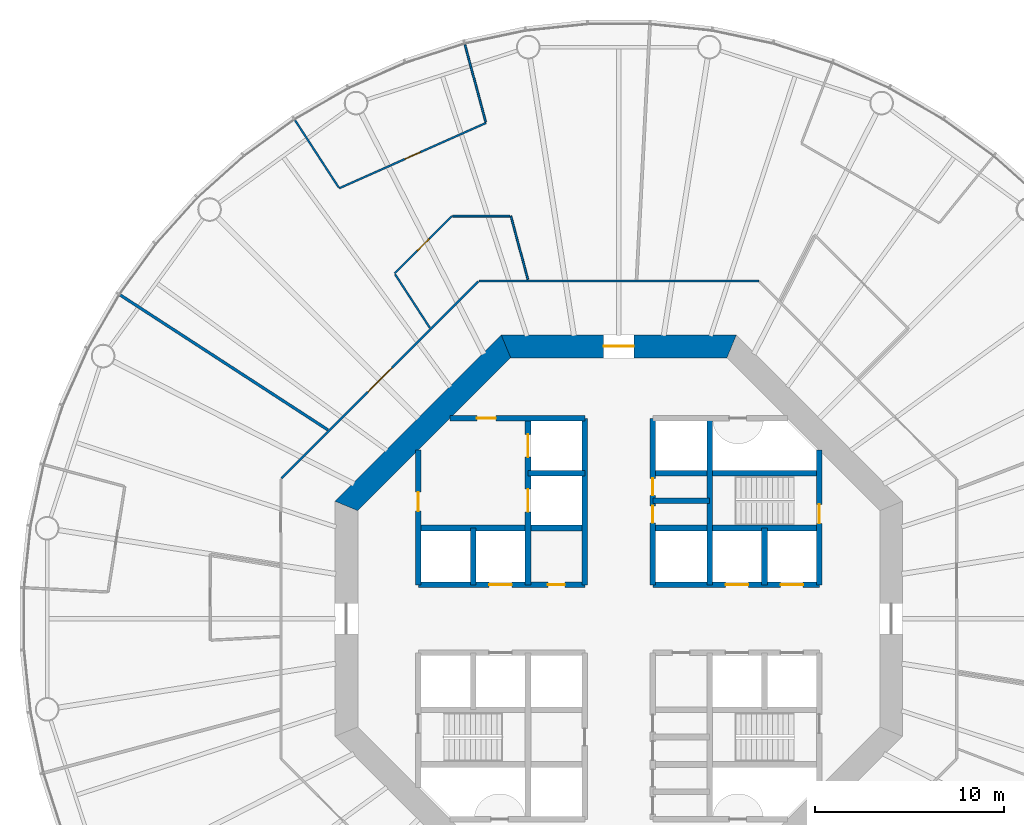
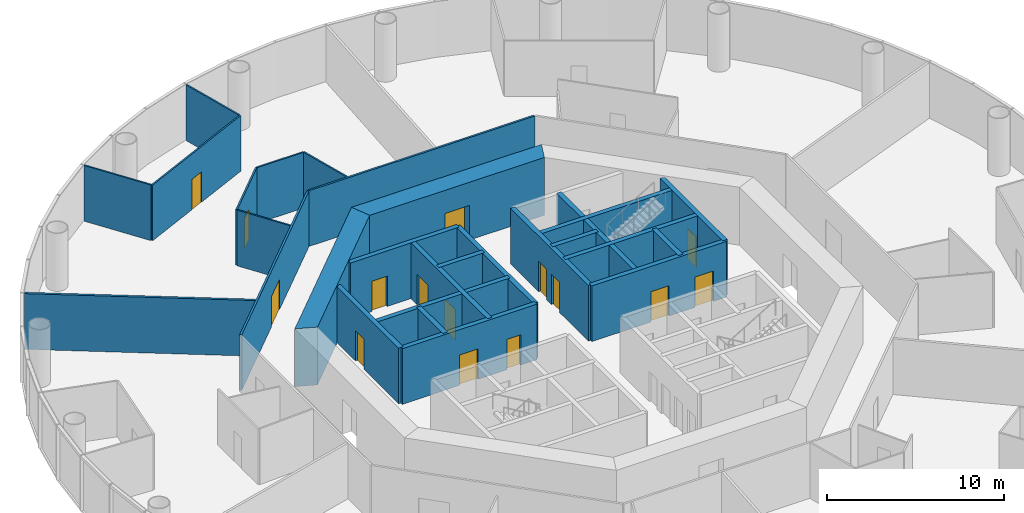
# One storey, part 5 of 13: 28 walls, 15 doors, 15 openings.
"""IFC4 building model written with IfcOpenShell, lengths in metres."""

from ifc_helpers import new_model, si_unit, direction, frame, frame_2d, origin, place, context, subcontext, project, spatial, polyline, rectangle, outline, extrude, material, layer, layer_set, type_object, element, fill, save


model = new_model("IFC4")

# Units and contexts
model_context = context("Model", 3, precision=1e-05, world=origin(), true_north=direction((0.0, 1.0)))
body_context = subcontext(model_context, "Body", "Model", "MODEL_VIEW")
ifc_project = project(units=[si_unit("LENGTHUNIT", "METRE"), si_unit("AREAUNIT", "SQUARE_METRE"), si_unit("VOLUMEUNIT", "CUBIC_METRE"), si_unit("PLANEANGLEUNIT", "RADIAN"), si_unit("MASSUNIT", "GRAM", prefix="KILO")], contexts=[model_context])

# Site, building, storey
site_placement = place(None, origin())
site = spatial("IfcSite", under=ifc_project, at=site_placement, CompositionType="ELEMENT")
building_placement = place(site_placement, origin())
building = spatial("IfcBuilding", under=site, at=building_placement, Name="Entoto Ring Tower", CompositionType="ELEMENT")
storey_placement = place(building_placement, frame((0.0, 0.0, 88.0)))
storey = spatial("IfcBuildingStorey", under=building, at=storey_placement, Name="L19", CompositionType="ELEMENT", Elevation=88.0)

# Wall, opening, door
ifc_material_1 = material(Name="Concrete C40/50", Category="concrete")
ifc_layer_1 = layer(ifc_material_1, 0.300048828125)
ifc_layer_set_1 = layer_set([ifc_layer_1], Name="Concrete C40/50")
wall_type_1 = type_object("IfcWallType", Name="Core enclosure wall 300 mm reinforced concrete", PredefinedType="SOLIDWALL", material=ifc_layer_set_1)
wall_1_placement = place(storey_placement, frame((100.60009765625, 81.800048828125, 0.0), z_axis=(0.0, 0.0, 1.0), x_axis=(0.0, 1.0, 0.0)))
wall_1 = element("IfcWall", 1, at=wall_1_placement, inside=storey, type_object=wall_type_1, Name="wall-L19-002", PredefinedType="SOLIDWALL", context=body_context, shape_type="SweptSolid", body=[
    extrude(rectangle(XDim=7.115966796875, YDim=0.300048828125, at=frame_2d((3.55810546875, 0.0))), origin(), (0.0, 0.0, 1.0), 3.85009765625),
])
opening_1_placement = place(wall_1_placement, frame((3.25, 0.0, 0.0)))
opening_1 = element("IfcOpeningElement", 2, at=opening_1_placement, cuts=wall_1, Name="Opening K-65", PredefinedType="OPENING", context=body_context, shape_type="SweptSolid", body=[
    extrude(rectangle(XDim=1.0, YDim=2.10009765625, at=frame_2d((0.5, 1.050048828125))), frame((0.0, 0.16015625, 0.0), z_axis=(0.0, -1.0, 0.0), x_axis=(1.0, 0.0, 0.0)), (0.0, 0.0, 1.0), 0.320068359375),
])
ifc_material_2 = material(Name="Steel door leaf, fire rated", Category="steel")
ifc_layer_2 = layer(ifc_material_2, 0.050048828125)
ifc_layer_set_2 = layer_set([ifc_layer_2], Name="Steel door leaf, fire rated")
door_type_1 = type_object("IfcDoorType", Name="Fire door FD60 1000 x 2100 single leaf", OperationType="NOTDEFINED", PredefinedType="DOOR", material=ifc_layer_set_2)
door_1_placement = place(opening_1_placement, origin())
door_1 = element("IfcDoor", 3, at=door_1_placement, inside=storey, type_object=door_type_1, Name="Door K-65", OperationType="SINGLE_SWING_RIGHT", OverallHeight=2.10009765625, OverallWidth=1.0, PredefinedType="DOOR", context=body_context, shape_type="SweptSolid", body=[
    extrude(rectangle(XDim=1.0, YDim=2.10009765625, at=frame_2d((0.5, 1.050048828125))), frame((0.0, 0.02490234375, 0.0), z_axis=(0.0, -1.0, 0.0), x_axis=(1.0, 0.0, 0.0)), (0.0, 0.0, 1.0), 0.050048828125),
])
fill(opening_1, door_1)

# Walls
wall_2_placement = place(storey_placement, frame((97.699951171875, 81.800048828125, 0.0), z_axis=(0.0, 0.0, 1.0), x_axis=(0.0, 1.0, 0.0)))
element("IfcWall", 4, at=wall_2_placement, inside=storey, type_object=wall_type_1, Name="wall-L19-004", PredefinedType="SOLIDWALL", context=body_context, shape_type="SweptSolid", body=[
    extrude(rectangle(XDim=3.0, YDim=0.300048828125, at=frame_2d((1.5, 0.0))), origin(), (0.0, 0.0, 1.0), 3.85009765625),
])
wall_3_placement = place(storey_placement, frame((94.800048828125, 81.800048828125, 0.0), z_axis=(0.0, 0.0, 1.0), x_axis=(0.0, 1.0, 0.0)))
element("IfcWall", 5, at=wall_3_placement, inside=storey, type_object=wall_type_1, Name="wall-L19-006", PredefinedType="SOLIDWALL", context=body_context, shape_type="SweptSolid", body=[
    extrude(rectangle(XDim=8.800048828125, YDim=0.300048828125, at=frame_2d((4.39990234375, 0.0))), origin(), (0.0, 0.0, 1.0), 3.85009765625),
])

# Wall, openings, doors
wall_4_placement = place(storey_placement, frame((91.800048828125, 81.800048828125, 0.0), z_axis=(0.0, 0.0, 1.0), x_axis=(0.0, 1.0, 0.0)))
wall_4 = element("IfcWall", 6, at=wall_4_placement, inside=storey, type_object=wall_type_1, Name="wall-L19-008", PredefinedType="SOLIDWALL", context=body_context, shape_type="SweptSolid", body=[
    extrude(rectangle(XDim=8.800048828125, YDim=0.300048828125, at=frame_2d((4.39990234375, 0.0))), origin(), (0.0, 0.0, 1.0), 3.85009765625),
])
opening_2_placement = place(wall_4_placement, frame((3.27490234375, 0.0, 0.0)))
opening_2 = element("IfcOpeningElement", 7, at=opening_2_placement, cuts=wall_4, Name="Opening K-11", PredefinedType="OPENING", context=body_context, shape_type="SweptSolid", body=[
    extrude(rectangle(XDim=0.89990234375, YDim=2.10009765625, at=frame_2d((0.449951171875, 1.050048828125))), frame((0.0, 0.16015625, 0.0), z_axis=(0.0, -1.0, 0.0), x_axis=(1.0, 0.0, 0.0)), (0.0, 0.0, 1.0), 0.320068359375),
])
opening_3_placement = place(wall_4_placement, frame((4.72509765625, 0.0, 0.0)))
opening_3 = element("IfcOpeningElement", 8, at=opening_3_placement, cuts=wall_4, Name="Opening K-12", PredefinedType="OPENING", context=body_context, shape_type="SweptSolid", body=[
    extrude(rectangle(XDim=0.89990234375, YDim=2.10009765625, at=frame_2d((0.449951171875, 1.050048828125))), frame((0.0, 0.16015625, 0.0), z_axis=(0.0, -1.0, 0.0), x_axis=(1.0, 0.0, 0.0)), (0.0, 0.0, 1.0), 0.320068359375),
])
ifc_material_3 = material(Name="Steel door leaf, fire rated", Category="steel")
ifc_layer_3 = layer(ifc_material_3, 0.050048828125)
ifc_layer_set_3 = layer_set([ifc_layer_3], Name="Steel door leaf, fire rated")
door_type_2 = type_object("IfcDoorType", Name="Core door 900 x 2100 single leaf", OperationType="NOTDEFINED", PredefinedType="DOOR", material=ifc_layer_set_3)
door_2_placement = place(opening_2_placement, origin())
door_2 = element("IfcDoor", 9, at=door_2_placement, inside=storey, type_object=door_type_2, Name="Door K-11", OperationType="SINGLE_SWING_RIGHT", OverallHeight=2.10009765625, OverallWidth=0.89990234375, PredefinedType="DOOR", context=body_context, shape_type="SweptSolid", body=[
    extrude(rectangle(XDim=0.89990234375, YDim=2.10009765625, at=frame_2d((0.449951171875, 1.050048828125))), frame((0.0, 0.02490234375, 0.0), z_axis=(0.0, -1.0, 0.0), x_axis=(1.0, 0.0, 0.0)), (0.0, 0.0, 1.0), 0.050048828125),
])
fill(opening_2, door_2)
door_3_placement = place(opening_3_placement, origin())
door_3 = element("IfcDoor", 10, at=door_3_placement, inside=storey, type_object=door_type_2, Name="Door K-12", OperationType="SINGLE_SWING_RIGHT", OverallHeight=2.10009765625, OverallWidth=0.89990234375, PredefinedType="DOOR", context=body_context, shape_type="SweptSolid", body=[
    extrude(rectangle(XDim=0.89990234375, YDim=2.10009765625, at=frame_2d((0.449951171875, 1.050048828125))), frame((0.0, 0.02490234375, 0.0), z_axis=(0.0, -1.0, 0.0), x_axis=(1.0, 0.0, 0.0)), (0.0, 0.0, 1.0), 0.050048828125),
])
fill(opening_3, door_3)

# Wall
wall_5_placement = place(storey_placement, frame((88.199951171875, 81.800048828125, 0.0), z_axis=(0.0, 0.0, 1.0), x_axis=(0.0, 1.0, 0.0)))
element("IfcWall", 11, at=wall_5_placement, inside=storey, type_object=wall_type_1, Name="wall-L19-010", PredefinedType="SOLIDWALL", context=body_context, shape_type="SweptSolid", body=[
    extrude(rectangle(XDim=8.800048828125, YDim=0.300048828125, at=frame_2d((4.39990234375, 0.0))), origin(), (0.0, 0.0, 1.0), 3.85009765625),
])

# Wall, openings, doors
wall_6_placement = place(storey_placement, frame((85.199951171875, 81.800048828125, 0.0), z_axis=(0.0, 0.0, 1.0), x_axis=(0.0, 1.0, 0.0)))
wall_6 = element("IfcWall", 12, at=wall_6_placement, inside=storey, type_object=wall_type_1, Name="wall-L19-012", PredefinedType="SOLIDWALL", context=body_context, shape_type="SweptSolid", body=[
    extrude(rectangle(XDim=8.800048828125, YDim=0.300048828125, at=frame_2d((4.39990234375, 0.0))), origin(), (0.0, 0.0, 1.0), 3.85009765625),
])
opening_4_placement = place(wall_6_placement, frame((3.85009765625, 0.0, 0.0)))
opening_4 = element("IfcOpeningElement", 13, at=opening_4_placement, cuts=wall_6, Name="Opening LD", PredefinedType="OPENING", context=body_context, shape_type="SweptSolid", body=[
    extrude(rectangle(XDim=1.199951171875, YDim=2.10009765625, at=frame_2d((0.60009765625, 1.050048828125))), frame((0.0, 0.16015625, 0.0), z_axis=(0.0, -1.0, 0.0), x_axis=(1.0, 0.0, 0.0)), (0.0, 0.0, 1.0), 0.320068359375),
])
opening_5_placement = place(wall_6_placement, frame((6.75, 0.0, 0.0)))
opening_5 = element("IfcOpeningElement", 14, at=opening_5_placement, cuts=wall_6, Name="Opening LD", PredefinedType="OPENING", context=body_context, shape_type="SweptSolid", body=[
    extrude(rectangle(XDim=1.199951171875, YDim=2.10009765625, at=frame_2d((0.60009765625, 1.050048828125))), frame((0.0, 0.16015625, 0.0), z_axis=(0.0, -1.0, 0.0), x_axis=(1.0, 0.0, 0.0)), (0.0, 0.0, 1.0), 0.320068359375),
])
ifc_material_4 = material(Name="Steel and glass door leaf", Category="steel")
ifc_layer_4 = layer(ifc_material_4, 0.050048828125)
ifc_layer_set_4 = layer_set([ifc_layer_4], Name="Steel and glass door leaf")
door_type_3 = type_object("IfcDoorType", Name="Landing door 1200 x 2100 sliding", OperationType="DOUBLE_DOOR_SLIDING", PredefinedType="DOOR", material=ifc_layer_set_4)
door_4_placement = place(opening_4_placement, origin())
door_4 = element("IfcDoor", 15, at=door_4_placement, inside=storey, type_object=door_type_3, Name="Landing door FF1", OperationType="SLIDING_TO_RIGHT", OverallHeight=2.10009765625, OverallWidth=1.199951171875, PredefinedType="DOOR", context=body_context, shape_type="SweptSolid", body=[
    extrude(rectangle(XDim=1.199951171875, YDim=2.10009765625, at=frame_2d((0.60009765625, 1.050048828125))), frame((0.0, 0.02490234375, 0.0), z_axis=(0.0, -1.0, 0.0), x_axis=(1.0, 0.0, 0.0)), (0.0, 0.0, 1.0), 0.050048828125),
])
fill(opening_4, door_4)
door_5_placement = place(opening_5_placement, origin())
door_5 = element("IfcDoor", 16, at=door_5_placement, inside=storey, type_object=door_type_3, Name="Landing door FF2", OperationType="SLIDING_TO_RIGHT", OverallHeight=2.10009765625, OverallWidth=1.199951171875, PredefinedType="DOOR", context=body_context, shape_type="SweptSolid", body=[
    extrude(rectangle(XDim=1.199951171875, YDim=2.10009765625, at=frame_2d((0.60009765625, 1.050048828125))), frame((0.0, 0.02490234375, 0.0), z_axis=(0.0, -1.0, 0.0), x_axis=(1.0, 0.0, 0.0)), (0.0, 0.0, 1.0), 0.050048828125),
])
fill(opening_5, door_5)

# Wall
wall_7_placement = place(storey_placement, frame((82.300048828125, 81.800048828125, 0.0), z_axis=(0.0, 0.0, 1.0), x_axis=(0.0, 1.0, 0.0)))
element("IfcWall", 17, at=wall_7_placement, inside=storey, type_object=wall_type_1, Name="wall-L19-014", PredefinedType="SOLIDWALL", context=body_context, shape_type="SweptSolid", body=[
    extrude(rectangle(XDim=3.0, YDim=0.300048828125, at=frame_2d((1.5, 0.0))), origin(), (0.0, 0.0, 1.0), 3.85009765625),
])

# Wall, opening, door
wall_8_placement = place(storey_placement, frame((79.39990234375, 81.800048828125, 0.0), z_axis=(0.0, 0.0, 1.0), x_axis=(0.0, 1.0, 0.0)))
wall_8 = element("IfcWall", 18, at=wall_8_placement, inside=storey, type_object=wall_type_1, Name="wall-L19-016", PredefinedType="SOLIDWALL", context=body_context, shape_type="SweptSolid", body=[
    extrude(rectangle(XDim=7.115966796875, YDim=0.300048828125, at=frame_2d((3.55810546875, 0.0))), origin(), (0.0, 0.0, 1.0), 3.85009765625),
])
opening_6_placement = place(wall_8_placement, frame((3.89990234375, 0.0, 0.0)))
opening_6 = element("IfcOpeningElement", 19, at=opening_6_placement, cuts=wall_8, Name="Opening K-26", PredefinedType="OPENING", context=body_context, shape_type="SweptSolid", body=[
    extrude(rectangle(XDim=1.0, YDim=2.10009765625, at=frame_2d((0.5, 1.050048828125))), frame((0.0, 0.16015625, 0.0), z_axis=(0.0, -1.0, 0.0), x_axis=(1.0, 0.0, 0.0)), (0.0, 0.0, 1.0), 0.320068359375),
])
door_6_placement = place(opening_6_placement, frame((1.0, 0.0, 0.0), z_axis=(0.0, 0.0, 1.0), x_axis=(-1.0, 0.0, 0.0)))
door_6 = element("IfcDoor", 20, at=door_6_placement, inside=storey, type_object=door_type_1, Name="Door K-26", OperationType="SINGLE_SWING_LEFT", OverallHeight=2.10009765625, OverallWidth=1.0, PredefinedType="DOOR", context=body_context, shape_type="SweptSolid", body=[
    extrude(rectangle(XDim=1.0, YDim=2.10009765625, at=frame_2d((0.5, 1.050048828125))), frame((0.0, 0.02490234375, 0.0), z_axis=(0.0, -1.0, 0.0), x_axis=(1.0, 0.0, 0.0)), (0.0, 0.0, 1.0), 0.050048828125),
])
fill(opening_6, door_6)

# Wall, openings, doors
wall_9_placement = place(storey_placement, frame((79.39990234375, 81.800048828125, 0.0), z_axis=(0.0, 0.0, 1.0), x_axis=(1.0, 0.0, 0.0)))
wall_9 = element("IfcWall", 21, at=wall_9_placement, inside=storey, type_object=wall_type_1, Name="wall-L19-027", PredefinedType="SOLIDWALL", context=body_context, shape_type="SweptSolid", body=[
    extrude(rectangle(XDim=8.800048828125, YDim=0.300048828125, at=frame_2d((4.39990234375, 0.0))), origin(), (0.0, 0.0, 1.0), 3.85009765625),
])
opening_7_placement = place(wall_9_placement, frame((3.75, 0.0, 0.0)))
opening_7 = element("IfcOpeningElement", 22, at=opening_7_placement, cuts=wall_9, Name="Opening LD", PredefinedType="OPENING", context=body_context, shape_type="SweptSolid", body=[
    extrude(rectangle(XDim=1.199951171875, YDim=2.10009765625, at=frame_2d((0.60009765625, 1.050048828125))), frame((0.0, 0.16015625, 0.0), z_axis=(0.0, -1.0, 0.0), x_axis=(1.0, 0.0, 0.0)), (0.0, 0.0, 1.0), 0.320068359375),
])
opening_8_placement = place(wall_9_placement, frame((6.85009765625, 0.0, 0.0)))
opening_8 = element("IfcOpeningElement", 23, at=opening_8_placement, cuts=wall_9, Name="Opening K-18", PredefinedType="OPENING", context=body_context, shape_type="SweptSolid", body=[
    extrude(rectangle(XDim=0.89990234375, YDim=2.10009765625, at=frame_2d((0.449951171875, 1.050048828125))), frame((0.0, 0.16015625, 0.0), z_axis=(0.0, -1.0, 0.0), x_axis=(1.0, 0.0, 0.0)), (0.0, 0.0, 1.0), 0.320068359375),
])
door_7_placement = place(opening_8_placement, frame((0.89990234375, 0.0, 0.0), z_axis=(0.0, 0.0, 1.0), x_axis=(-1.0, 0.0, 0.0)))
door_7 = element("IfcDoor", 24, at=door_7_placement, inside=storey, type_object=door_type_2, Name="Door K-18", OperationType="SINGLE_SWING_RIGHT", OverallHeight=2.10009765625, OverallWidth=0.89990234375, PredefinedType="DOOR", context=body_context, shape_type="SweptSolid", body=[
    extrude(rectangle(XDim=0.89990234375, YDim=2.10009765625, at=frame_2d((0.449951171875, 1.050048828125))), frame((0.0, 0.02490234375, 0.0), z_axis=(0.0, -1.0, 0.0), x_axis=(1.0, 0.0, 0.0)), (0.0, 0.0, 1.0), 0.050048828125),
])
fill(opening_8, door_7)
door_8_placement = place(opening_7_placement, origin())
door_8 = element("IfcDoor", 25, at=door_8_placement, inside=storey, type_object=door_type_3, Name="Landing door LB3-LR", OperationType="SLIDING_TO_RIGHT", OverallHeight=2.10009765625, OverallWidth=1.199951171875, PredefinedType="DOOR", context=body_context, shape_type="SweptSolid", body=[
    extrude(rectangle(XDim=1.199951171875, YDim=2.10009765625, at=frame_2d((0.60009765625, 1.050048828125))), frame((0.0, 0.02490234375, 0.0), z_axis=(0.0, -1.0, 0.0), x_axis=(1.0, 0.0, 0.0)), (0.0, 0.0, 1.0), 0.050048828125),
])
fill(opening_7, door_8)

wall_10_placement = place(storey_placement, frame((91.800048828125, 81.800048828125, 0.0), z_axis=(0.0, 0.0, 1.0), x_axis=(1.0, 0.0, 0.0)))
wall_10 = element("IfcWall", 26, at=wall_10_placement, inside=storey, type_object=wall_type_1, Name="wall-L19-028", PredefinedType="SOLIDWALL", context=body_context, shape_type="SweptSolid", body=[
    extrude(rectangle(XDim=8.800048828125, YDim=0.300048828125, at=frame_2d((4.39990234375, 0.0))), origin(), (0.0, 0.0, 1.0), 3.85009765625),
])
opening_9_placement = place(wall_10_placement, frame((3.85009765625, 0.0, 0.0)))
opening_9 = element("IfcOpeningElement", 27, at=opening_9_placement, cuts=wall_10, Name="Opening LD", PredefinedType="OPENING", context=body_context, shape_type="SweptSolid", body=[
    extrude(rectangle(XDim=1.199951171875, YDim=2.10009765625, at=frame_2d((0.60009765625, 1.050048828125))), frame((0.0, 0.16015625, 0.0), z_axis=(0.0, -1.0, 0.0), x_axis=(1.0, 0.0, 0.0)), (0.0, 0.0, 1.0), 0.320068359375),
])
opening_10_placement = place(wall_10_placement, frame((6.75, 0.0, 0.0)))
opening_10 = element("IfcOpeningElement", 28, at=opening_10_placement, cuts=wall_10, Name="Opening LD", PredefinedType="OPENING", context=body_context, shape_type="SweptSolid", body=[
    extrude(rectangle(XDim=1.199951171875, YDim=2.10009765625, at=frame_2d((0.60009765625, 1.050048828125))), frame((0.0, 0.16015625, 0.0), z_axis=(0.0, -1.0, 0.0), x_axis=(1.0, 0.0, 0.0)), (0.0, 0.0, 1.0), 0.320068359375),
])
door_9_placement = place(opening_9_placement, origin())
door_9 = element("IfcDoor", 29, at=door_9_placement, inside=storey, type_object=door_type_3, Name="Landing door LB1-LR", OperationType="SLIDING_TO_RIGHT", OverallHeight=2.10009765625, OverallWidth=1.199951171875, PredefinedType="DOOR", context=body_context, shape_type="SweptSolid", body=[
    extrude(rectangle(XDim=1.199951171875, YDim=2.10009765625, at=frame_2d((0.60009765625, 1.050048828125))), frame((0.0, 0.02490234375, 0.0), z_axis=(0.0, -1.0, 0.0), x_axis=(1.0, 0.0, 0.0)), (0.0, 0.0, 1.0), 0.050048828125),
])
fill(opening_9, door_9)
door_10_placement = place(opening_10_placement, origin())
door_10 = element("IfcDoor", 30, at=door_10_placement, inside=storey, type_object=door_type_3, Name="Landing door LB2-LR", OperationType="SLIDING_TO_RIGHT", OverallHeight=2.10009765625, OverallWidth=1.199951171875, PredefinedType="DOOR", context=body_context, shape_type="SweptSolid", body=[
    extrude(rectangle(XDim=1.199951171875, YDim=2.10009765625, at=frame_2d((0.60009765625, 1.050048828125))), frame((0.0, 0.02490234375, 0.0), z_axis=(0.0, -1.0, 0.0), x_axis=(1.0, 0.0, 0.0)), (0.0, 0.0, 1.0), 0.050048828125),
])
fill(opening_10, door_10)

# Walls
for number, where, z_axis, x_axis, name in (
    (31, (79.39990234375, 84.800048828125, 0.0), (0.0, 0.0, 1.0), (1.0, 0.0, 0.0), "wall-L19-029"),
    (32, (91.800048828125, 84.800048828125, 0.0), (0.0, 0.0, 1.0), (1.0, 0.0, 0.0), "wall-L19-030"),
):
    element("IfcWall", number, at=place(storey_placement, frame(where, z_axis=z_axis, x_axis=x_axis)), inside=storey, type_object=wall_type_1, Name=name, PredefinedType="SOLIDWALL", context=body_context, shape_type="SweptSolid", body=[
        extrude(rectangle(XDim=8.800048828125, YDim=0.300048828125, at=frame_2d((4.39990234375, 0.0))), origin(), (0.0, 0.0, 1.0), 3.85009765625),
    ])
for number, where, z_axis, x_axis, name in (
    (33, (91.800048828125, 86.25, 0.0), (0.0, 0.0, 1.0), (1.0, 0.0, 0.0), "wall-L19-031"),
    (34, (85.199951171875, 87.699951171875, 0.0), (0.0, 0.0, 1.0), (1.0, 0.0, 0.0), "wall-L19-032"),
):
    element("IfcWall", number, at=place(storey_placement, frame(where, z_axis=z_axis, x_axis=x_axis)), inside=storey, type_object=wall_type_1, Name=name, PredefinedType="SOLIDWALL", context=body_context, shape_type="SweptSolid", body=[
        extrude(rectangle(XDim=3.0, YDim=0.300048828125, at=frame_2d((1.5, 0.0))), origin(), (0.0, 0.0, 1.0), 3.85009765625),
    ])
wall_11_placement = place(storey_placement, frame((91.800048828125, 87.699951171875, 0.0), z_axis=(0.0, 0.0, 1.0), x_axis=(1.0, 0.0, 0.0)))
element("IfcWall", 35, at=wall_11_placement, inside=storey, type_object=wall_type_1, Name="wall-L19-033", PredefinedType="SOLIDWALL", context=body_context, shape_type="SweptSolid", body=[
    extrude(rectangle(XDim=8.800048828125, YDim=0.300048828125, at=frame_2d((4.39990234375, 0.0))), origin(), (0.0, 0.0, 1.0), 3.85009765625),
])

# Wall, opening, door
wall_12_placement = place(storey_placement, frame((81.083984375, 90.60009765625, 0.0), z_axis=(0.0, 0.0, 1.0), x_axis=(1.0, 0.0, 0.0)))
wall_12 = element("IfcWall", 36, at=wall_12_placement, inside=storey, type_object=wall_type_1, Name="wall-L19-034", PredefinedType="SOLIDWALL", context=body_context, shape_type="SweptSolid", body=[
    extrude(rectangle(XDim=7.115966796875, YDim=0.300048828125, at=frame_2d((3.55810546875, 0.0))), origin(), (0.0, 0.0, 1.0), 3.85009765625),
])
opening_11_placement = place(wall_12_placement, frame((1.416015625, 0.0, 0.0)))
opening_11 = element("IfcOpeningElement", 37, at=opening_11_placement, cuts=wall_12, Name="Opening K-27", PredefinedType="OPENING", context=body_context, shape_type="SweptSolid", body=[
    extrude(rectangle(XDim=1.0, YDim=2.10009765625, at=frame_2d((0.5, 1.050048828125))), frame((0.0, 0.16015625, 0.0), z_axis=(0.0, -1.0, 0.0), x_axis=(1.0, 0.0, 0.0)), (0.0, 0.0, 1.0), 0.320068359375),
])
door_11_placement = place(opening_11_placement, frame((1.0, 0.0, 0.0), z_axis=(0.0, 0.0, 1.0), x_axis=(-1.0, 0.0, 0.0)))
door_11 = element("IfcDoor", 38, at=door_11_placement, inside=storey, type_object=door_type_1, Name="Door K-27", OperationType="SINGLE_SWING_RIGHT", OverallHeight=2.10009765625, OverallWidth=1.0, PredefinedType="DOOR", context=body_context, shape_type="SweptSolid", body=[
    extrude(rectangle(XDim=1.0, YDim=2.10009765625, at=frame_2d((0.5, 1.050048828125))), frame((0.0, 0.02490234375, 0.0), z_axis=(0.0, -1.0, 0.0), x_axis=(1.0, 0.0, 0.0)), (0.0, 0.0, 1.0), 0.050048828125),
])
fill(opening_11, door_11)

ifc_material_5 = material(Name="Concrete C60/75", Category="concrete")
ifc_layer_5 = layer(ifc_material_5, 1.199951171875)
ifc_layer_set_5 = layer_set([ifc_layer_5], Name="Concrete C60/75")
wall_type_2 = type_object("IfcWallType", Name="Core shear wall 1200 mm reinforced concrete C60/75", PredefinedType="SHEAR", material=ifc_layer_set_5)
wall_13_placement = place(storey_placement, frame((95.964599609375, 94.39990234375, 0.0), z_axis=(0.0, 0.0, 1.0), x_axis=(-1.0, 0.0, 0.0)))
wall_13 = element("IfcWall", 39, at=wall_13_placement, inside=storey, type_object=wall_type_2, Name="wall-L19-core-2", PredefinedType="SHEAR", context=body_context, shape_type="SweptSolid", body=[
    extrude(outline(polyline([(-0.24853515625, -0.60009765625), (12.177734375, -0.60009765625), (11.6806640625, 0.60009765625), (0.24853515625, 0.60009765625), (-0.24853515625, -0.60009765625)])), origin(), (0.0, 0.0, 1.0), 4.0),
])
opening_12_placement = place(wall_13_placement, frame((5.164794921875, 0.0, 0.0)))
opening_12 = element("IfcOpeningElement", 40, at=opening_12_placement, cuts=wall_13, Name="Opening K-02", PredefinedType="OPENING", context=body_context, shape_type="SweptSolid", body=[
    extrude(rectangle(XDim=1.60009765625, YDim=2.39990234375, at=frame_2d((0.800048828125, 1.199951171875))), frame((0.0, 0.60986328125, 0.0), z_axis=(0.0, -1.0, 0.0), x_axis=(1.0, 0.0, 0.0)), (0.0, 0.0, 1.0), 1.219970703125),
])
ifc_material_6 = material(Name="Steel door leaf, fire rated", Category="steel")
ifc_layer_6 = layer(ifc_material_6, 0.050048828125)
ifc_layer_set_6 = layer_set([ifc_layer_6], Name="Steel door leaf, fire rated")
door_type_4 = type_object("IfcDoorType", Name="Entrance door FD60 1600 x 2400 double leaf", OperationType="DOUBLE_DOOR_SINGLE_SWING", PredefinedType="DOOR", material=ifc_layer_set_6)
door_12_placement = place(opening_12_placement, origin())
door_12 = element("IfcDoor", 41, at=door_12_placement, inside=storey, type_object=door_type_4, Name="Entrance door K-02", OperationType="DOUBLE_DOOR_SINGLE_SWING", OverallHeight=2.39990234375, OverallWidth=1.60009765625, PredefinedType="DOOR", context=body_context, shape_type="SweptSolid", body=[
    extrude(rectangle(XDim=1.60009765625, YDim=2.39990234375, at=frame_2d((0.800048828125, 1.199951171875))), frame((0.0, 0.02490234375, 0.0), z_axis=(0.0, -1.0, 0.0), x_axis=(1.0, 0.0, 0.0)), (0.0, 0.0, 1.0), 0.050048828125),
])
fill(opening_12, door_12)

# Walls
wall_14_placement = place(storey_placement, frame((84.035400390625, 94.39990234375, 0.0), z_axis=(0.0, 0.0, 1.0), x_axis=(-0.707106781187, -0.707106781187, 0.0)))
element("IfcWall", 42, at=wall_14_placement, inside=storey, type_object=wall_type_2, Name="wall-L19-core-3", PredefinedType="SHEAR", context=body_context, shape_type="SweptSolid", body=[
    extrude(outline(polyline([(-0.24853515625, -0.60009765625), (12.177734375, -0.60009765625), (11.6806640625, 0.60009765625), (0.24853515625, 0.60009765625), (-0.24853515625, -0.60009765625)])), origin(), (0.0, 0.0, 1.0), 4.0),
])
ifc_material_7 = material(Name="Fire-resisting plasterboard on steel studs", Category="steel")
ifc_layer_7 = layer(ifc_material_7, 0.125)
ifc_layer_set_7 = layer_set([ifc_layer_7], Name="Fire-resisting plasterboard on steel studs")
wall_type_3 = type_object("IfcWallType", Name="Corridor wall 125 mm one-hour plasterboard on steel studs", PredefinedType="PARTITIONING", material=ifc_layer_set_7)
wall_15_placement = place(storey_placement, frame((82.60107421875, 97.862548828125, 0.0), z_axis=(0.0, 0.0, 1.0), x_axis=(1.0, 0.0, 0.0)))
element("IfcWall", 43, at=wall_15_placement, inside=storey, type_object=wall_type_3, Name="partition-L19-003", PredefinedType="PARTITIONING", context=body_context, shape_type="SweptSolid", body=[
    extrude(rectangle(XDim=14.7978515625, YDim=0.125, at=frame_2d((7.39892578125, 0.0))), origin(), (0.0, 0.0, 1.0), 3.85009765625),
])

# Wall, opening, door
wall_16_placement = place(storey_placement, frame((72.168701171875, 87.429931640625, 0.0), z_axis=(0.0, 0.0, 1.0), x_axis=(0.707106781187, 0.707106781187, 0.0)))
wall_16 = element("IfcWall", 44, at=wall_16_placement, inside=storey, type_object=wall_type_3, Name="partition-L19-005", PredefinedType="PARTITIONING", context=body_context, shape_type="SweptSolid", body=[
    extrude(rectangle(XDim=14.709716796875, YDim=0.125, at=frame_2d((7.35498046875, 0.0))), origin(), (0.0, 0.0, 1.0), 3.85009765625),
])
opening_13_placement = place(wall_16_placement, frame((6.454833984375, 0.0, 0.0)))
opening_13 = element("IfcOpeningElement", 45, at=opening_13_placement, cuts=wall_16, Name="Opening A08-D07", PredefinedType="OPENING", context=body_context, shape_type="SweptSolid", body=[
    extrude(rectangle(XDim=1.800048828125, YDim=2.10009765625, at=frame_2d((0.89990234375, 1.050048828125))), frame((0.0, 0.072509765625, 0.0), z_axis=(0.0, -1.0, 0.0), x_axis=(1.0, 0.0, 0.0)), (0.0, 0.0, 1.0), 0.14501953125),
])
ifc_material_8 = material(Name="Fire-resisting timber door set", Category="wood")
door_type_5 = type_object("IfcDoorType", Name="Door 1800 x 2100 double leaf FD30S fire door", OperationType="DOUBLE_DOOR_SINGLE_SWING", PredefinedType="DOOR", material=ifc_material_8)
door_13_placement = place(opening_13_placement, origin())
door_13 = element("IfcDoor", 46, at=door_13_placement, inside=storey, type_object=door_type_5, Name="Door A08-D07", OperationType="DOUBLE_DOOR_SINGLE_SWING", OverallHeight=2.10009765625, OverallWidth=1.800048828125, PredefinedType="DOOR", context=body_context, shape_type="SweptSolid", body=[
    extrude(rectangle(XDim=1.800048828125, YDim=2.10009765625, at=frame_2d((0.89990234375, 1.050048828125))), frame((0.0, 0.02490234375, 0.0), z_axis=(0.0, -1.0, 0.0), x_axis=(1.0, 0.0, 0.0)), (0.0, 0.0, 1.0), 0.050048828125),
])
fill(opening_13, door_13)

ifc_material_9 = material(Name="Plasterboard on steel studs", Category="steel")
ifc_layer_8 = layer(ifc_material_9, 0.10009765625)
ifc_layer_set_8 = layer_set([ifc_layer_8], Name="Plasterboard on steel studs")
wall_type_4 = type_object("IfcWallType", Name="Partition 100 mm plasterboard on steel studs", PredefinedType="PARTITIONING", material=ifc_layer_set_8)
wall_17_placement = place(storey_placement, frame((75.218505859375, 102.761474609375, 0.0), z_axis=(0.0, 0.0, 1.0), x_axis=(0.913548139396, 0.406730619705, 0.0)))
wall_17 = element("IfcWall", 47, at=wall_17_placement, inside=storey, type_object=wall_type_4, Name="partition-L19-016", PredefinedType="PARTITIONING", context=body_context, shape_type="SweptSolid", body=[
    extrude(rectangle(XDim=8.4912109375, YDim=0.10009765625, at=frame_2d((4.24560546875, 0.0))), origin(), (0.0, 0.0, 1.0), 3.85009765625),
])
opening_14_placement = place(wall_17_placement, frame((3.795654296875, 0.0, 0.0)))
opening_14 = element("IfcOpeningElement", 48, at=opening_14_placement, cuts=wall_17, Name="Opening A08-D09", PredefinedType="OPENING", context=body_context, shape_type="SweptSolid", body=[
    extrude(rectangle(XDim=0.89990234375, YDim=2.10009765625, at=frame_2d((0.449951171875, 1.050048828125))), frame((0.0, 0.06005859375, 0.0), z_axis=(0.0, -1.0, 0.0), x_axis=(1.0, 0.0, 0.0)), (0.0, 0.0, 1.0), 0.1201171875),
])
ifc_material_10 = material(Name="Veneered timber door leaf in timber frame", Category="wood")
door_type_6 = type_object("IfcDoorType", Name="Door 900 x 2100 single leaf timber veneer", OperationType="NOTDEFINED", PredefinedType="DOOR", material=ifc_material_10)
door_14_placement = place(opening_14_placement, origin())
door_14 = element("IfcDoor", 49, at=door_14_placement, inside=storey, type_object=door_type_6, Name="Door A08-D09", OperationType="SINGLE_SWING_LEFT", OverallHeight=2.10009765625, OverallWidth=0.89990234375, PredefinedType="DOOR", context=body_context, shape_type="SweptSolid", body=[
    extrude(rectangle(XDim=0.89990234375, YDim=2.10009765625, at=frame_2d((0.449951171875, 1.050048828125))), frame((0.0, 0.02490234375, 0.0), z_axis=(0.0, -1.0, 0.0), x_axis=(1.0, 0.0, 0.0)), (0.0, 0.0, 1.0), 0.050048828125),
])
fill(opening_14, door_14)

# Walls
wall_18_placement = place(storey_placement, frame((75.191650390625, 102.802978515625, 0.0), z_axis=(0.0, 0.0, 1.0), x_axis=(-0.544653187242, 0.838661377212, 0.0)))
element("IfcWall", 50, at=wall_18_placement, inside=storey, type_object=wall_type_4, Name="partition-L19-035", PredefinedType="PARTITIONING", context=body_context, shape_type="SweptSolid", body=[
    extrude(rectangle(XDim=4.250732421875, YDim=0.10009765625, at=frame_2d((2.12548828125, 0.0))), origin(), (0.0, 0.0, 1.0), 3.85009765625),
])
wall_19_placement = place(storey_placement, frame((82.962890625, 106.262939453125, 0.0), z_axis=(0.0, 0.0, 1.0), x_axis=(-0.258813602013, 0.965927284744, 0.0)))
element("IfcWall", 51, at=wall_19_placement, inside=storey, type_object=wall_type_4, Name="partition-L19-036", PredefinedType="PARTITIONING", context=body_context, shape_type="SweptSolid", body=[
    extrude(rectangle(XDim=4.25048828125, YDim=0.10009765625, at=frame_2d((2.125244140625, 0.0))), origin(), (0.0, 0.0, 1.0), 3.85009765625),
])

# Wall, opening, door
wall_20_placement = place(storey_placement, frame((78.144287109375, 98.25634765625, 0.0), z_axis=(0.0, 0.0, 1.0), x_axis=(0.707106781187, 0.707106781187, 0.0)))
wall_20 = element("IfcWall", 52, at=wall_20_placement, inside=storey, type_object=wall_type_4, Name="partition-L19-037", PredefinedType="PARTITIONING", context=body_context, shape_type="SweptSolid", body=[
    extrude(rectangle(XDim=4.293701171875, YDim=0.10009765625, at=frame_2d((2.14697265625, 0.0))), origin(), (0.0, 0.0, 1.0), 3.85009765625),
])
opening_15_placement = place(wall_20_placement, frame((1.697021484375, 0.0, 0.0)))
opening_15 = element("IfcOpeningElement", 53, at=opening_15_placement, cuts=wall_20, Name="Opening A08-D08", PredefinedType="OPENING", context=body_context, shape_type="SweptSolid", body=[
    extrude(rectangle(XDim=0.89990234375, YDim=2.10009765625, at=frame_2d((0.449951171875, 1.050048828125))), frame((0.0, 0.06005859375, 0.0), z_axis=(0.0, -1.0, 0.0), x_axis=(1.0, 0.0, 0.0)), (0.0, 0.0, 1.0), 0.1201171875),
])
door_15_placement = place(opening_15_placement, frame((0.89990234375, 0.0, 0.0), z_axis=(0.0, 0.0, 1.0), x_axis=(-1.0, 0.0, 0.0)))
door_15 = element("IfcDoor", 54, at=door_15_placement, inside=storey, type_object=door_type_6, Name="Door A08-D08", OperationType="SINGLE_SWING_RIGHT", OverallHeight=2.10009765625, OverallWidth=0.89990234375, PredefinedType="DOOR", context=body_context, shape_type="SweptSolid", body=[
    extrude(rectangle(XDim=0.89990234375, YDim=2.10009765625, at=frame_2d((0.449951171875, 1.050048828125))), frame((0.0, 0.02490234375, 0.0), z_axis=(0.0, -1.0, 0.0), x_axis=(1.0, 0.0, 0.0)), (0.0, 0.0, 1.0), 0.050048828125),
])
fill(opening_15, door_15)

# Walls
wall_21_placement = place(storey_placement, frame((85.193603515625, 97.937744140625, 0.0), z_axis=(0.0, 0.0, 1.0), x_axis=(-0.2588262692, 0.965923890569, 0.0)))
element("IfcWall", 55, at=wall_21_placement, inside=storey, type_object=wall_type_4, Name="partition-L19-045", PredefinedType="PARTITIONING", context=body_context, shape_type="SweptSolid", body=[
    extrude(rectangle(XDim=3.47314453125, YDim=0.10009765625, at=frame_2d((1.736572265625, 0.0))), origin(), (0.0, 0.0, 1.0), 3.85009765625),
])
wall_22_placement = place(storey_placement, frame((80.013427734375, 95.377685546875, 0.0), z_axis=(0.0, 0.0, 1.0), x_axis=(-0.544585008018, 0.838705651013, 0.0)))
element("IfcWall", 56, at=wall_22_placement, inside=storey, type_object=wall_type_4, Name="partition-L19-047", PredefinedType="PARTITIONING", context=body_context, shape_type="SweptSolid", body=[
    extrude(rectangle(XDim=3.38330078125, YDim=0.10009765625, at=frame_2d((1.691650390625, 0.0))), origin(), (0.0, 0.0, 1.0), 3.85009765625),
])
wall_23_placement = place(storey_placement, frame((81.215576171875, 101.29248046875, 0.0), z_axis=(0.0, 0.0, 1.0), x_axis=(1.0, 0.0, 0.0)))
element("IfcWall", 57, at=wall_23_placement, inside=storey, type_object=wall_type_4, Name="partition-L19-049", PredefinedType="PARTITIONING", context=body_context, shape_type="SweptSolid", body=[
    extrude(rectangle(XDim=3.031005859375, YDim=0.10009765625, at=frame_2d((1.515625, 0.0))), origin(), (0.0, 0.0, 1.0), 3.85009765625),
])
ifc_material_11 = material(Name="Fire-resisting acoustic plasterboard on steel studs", Category="steel")
ifc_layer_9 = layer(ifc_material_11, 0.14990234375)
ifc_layer_set_9 = layer_set([ifc_layer_9], Name="Fire-resisting acoustic plasterboard on steel studs")
wall_type_5 = type_object("IfcWallType", Name="Party wall 150 mm one-hour acoustic plasterboard on steel studs", PredefinedType="PARTITIONING", material=ifc_layer_set_9)
wall_24_placement = place(storey_placement, frame((74.61767578125, 89.989501953125, 0.0), z_axis=(0.0, 0.0, 1.0), x_axis=(-0.838673917758, 0.544633876721, 0.0)))
element("IfcWall", 58, at=wall_24_placement, inside=storey, type_object=wall_type_5, Name="partition-L19-012", PredefinedType="PARTITIONING", context=body_context, shape_type="SweptSolid", body=[
    extrude(rectangle(XDim=13.098876953125, YDim=0.14990234375, at=frame_2d((6.54931640625, 0.0))), origin(), (0.0, 0.0, 1.0), 3.85009765625),
])

save(model, "model.ifc")
